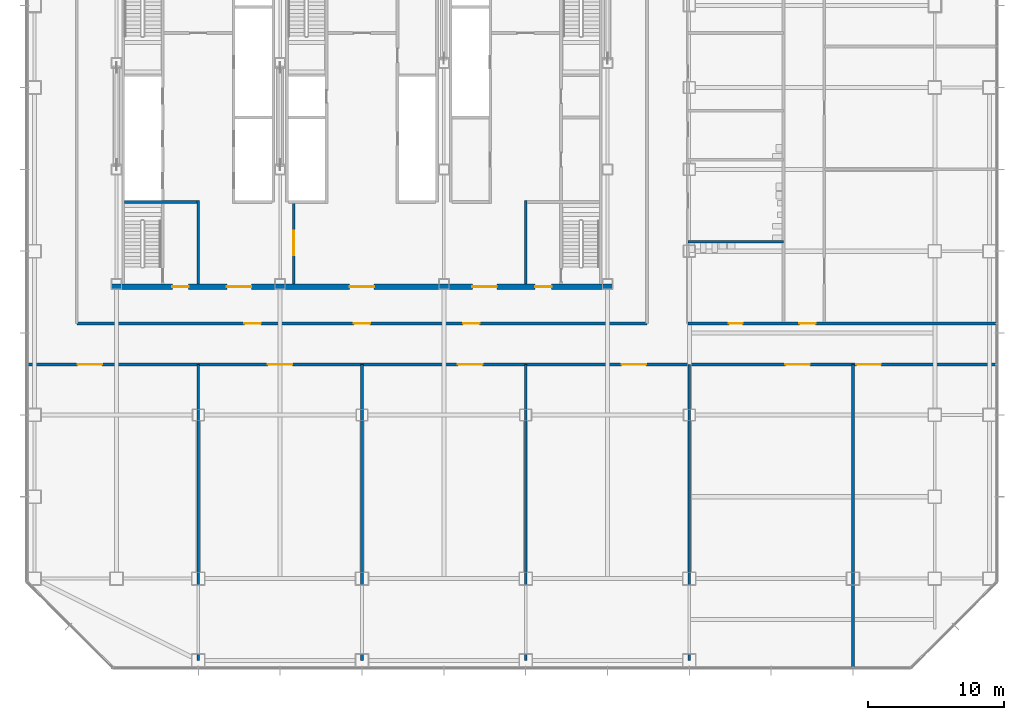
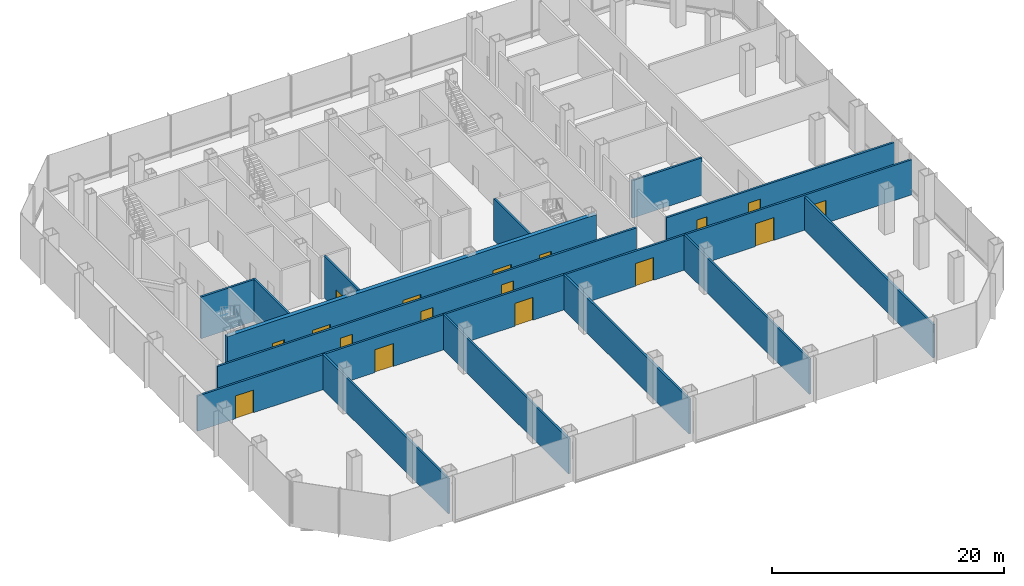
# One storey, part 23 of 33: 17 doors, 14 walls, 17 openings.
"""IFC4 building model written with IfcOpenShell, lengths in metres."""

from ifc_helpers import new_model, si_unit, direction, frame, frame_2d, origin, place, context, subcontext, project, spatial, rectangle, extrude, material, layer, layer_set, type_object, element, fill, save


model = new_model("IFC4")

# Units and contexts
model_context = context("Model", 3, precision=1e-05, world=origin(), true_north=direction((0.0, 1.0)))
body_context = subcontext(model_context, "Body", "Model", "MODEL_VIEW")
ifc_project = project(units=[si_unit("LENGTHUNIT", "METRE"), si_unit("AREAUNIT", "SQUARE_METRE"), si_unit("VOLUMEUNIT", "CUBIC_METRE"), si_unit("PLANEANGLEUNIT", "RADIAN"), si_unit("MASSUNIT", "GRAM", prefix="KILO")], contexts=[model_context])

# Site, building, storey
site_placement = place(None, origin())
site = spatial("IfcSite", under=ifc_project, at=site_placement, CompositionType="ELEMENT")
building_placement = place(site_placement, origin())
building = spatial("IfcBuilding", under=site, at=building_placement, Name="Sorahane Residences", CompositionType="ELEMENT")
storey_placement = place(building_placement, frame((0.0, 0.0, 25.199951171875)))
storey = spatial("IfcBuildingStorey", under=building, at=storey_placement, Name="L03", CompositionType="ELEMENT", Elevation=25.199951171875)

# Walls
ifc_material_1 = material(Name="Concrete blockwork C20 wall", Category="masonry")
ifc_layer_1 = layer(ifc_material_1, 0.199951171875)
ifc_layer_set_1 = layer_set([ifc_layer_1], Name="Corridor wall 200 EI 120")
wall_type_1 = type_object("IfcWallType", Name="Corridor wall 200 EI 120", PredefinedType="SOLIDWALL", material=ifc_layer_set_1)
for number, where, z_axis, x_axis, name in (
    (1, (12.0, -6.0, 0.0), (0.0, 0.0, 1.0), (0.0, 1.0, 0.0), "L03 corridor wall"),
    (2, (24.0, -6.0, 0.0), (0.0, 0.0, 1.0), (0.0, 1.0, 0.0), "L03 corridor wall"),
    (3, (36.0, -6.0, 0.0), (0.0, 0.0, 1.0), (0.0, 1.0, 0.0), "L03 corridor wall"),
    (4, (48.0, -6.0, 0.0), (0.0, 0.0, 1.0), (0.0, 1.0, 0.0), "L03 corridor wall"),
):
    element("IfcWall", number, at=place(storey_placement, frame(where, z_axis=z_axis, x_axis=x_axis)), inside=storey, type_object=wall_type_1, Name=name, PredefinedType="SOLIDWALL", context=body_context, shape_type="SweptSolid", body=[
        extrude(rectangle(XDim=21.699951171875, YDim=0.199951171875, at=frame_2d((10.85009765625, 0.0))), origin(), (0.0, 0.0, 1.0), 3.699951171875),
    ])
wall_1_placement = place(storey_placement, frame((60.0, -6.60009765625, 0.0), z_axis=(0.0, 0.0, 1.0), x_axis=(0.0, 1.0, 0.0)))
element("IfcWall", 5, at=wall_1_placement, inside=storey, type_object=wall_type_1, Name="L03 corridor wall", PredefinedType="SOLIDWALL", context=body_context, shape_type="SweptSolid", body=[
    extrude(rectangle(XDim=22.300048828125, YDim=0.199951171875, at=frame_2d((11.14990234375, 0.0))), origin(), (0.0, 0.0, 1.0), 3.5),
])

# Wall, openings, doors
wall_2_placement = place(storey_placement, frame((-0.60009765625, 15.699951171875, 0.0), z_axis=(0.0, 0.0, 1.0), x_axis=(1.0, 0.0, 0.0)))
wall_2 = element("IfcWall", 6, at=wall_2_placement, inside=storey, type_object=wall_type_1, Name="L03 corridor wall", PredefinedType="SOLIDWALL", context=body_context, shape_type="SweptSolid", body=[
    extrude(rectangle(XDim=71.2001953125, YDim=0.199951171875, at=frame_2d((35.60009765625, 0.0))), origin(), (0.0, 0.0, 1.0), 3.699951171875),
])
opening_1_placement = place(wall_2_placement, frame((3.760009765625, 0.0, 0.0)))
opening_1 = element("IfcOpeningElement", 7, at=opening_1_placement, cuts=wall_2, Name="Opening L03-01", PredefinedType="OPENING", context=body_context, shape_type="SweptSolid", body=[
    extrude(rectangle(XDim=1.800048828125, YDim=2.39990234375, at=frame_2d((0.89990234375, 1.199951171875))), frame((0.0, 0.10986328125, 0.0), z_axis=(0.0, -1.0, 0.0), x_axis=(1.0, 0.0, 0.0)), (0.0, 0.0, 1.0), 0.219970703125),
])
opening_2_placement = place(wall_2_placement, frame((17.699951171875, 0.0, 0.0)))
opening_2 = element("IfcOpeningElement", 8, at=opening_2_placement, cuts=wall_2, Name="Opening L03-02", PredefinedType="OPENING", context=body_context, shape_type="SweptSolid", body=[
    extrude(rectangle(XDim=1.800048828125, YDim=2.39990234375, at=frame_2d((0.89990234375, 1.199951171875))), frame((0.0, 0.10986328125, 0.0), z_axis=(0.0, -1.0, 0.0), x_axis=(1.0, 0.0, 0.0)), (0.0, 0.0, 1.0), 0.219970703125),
])
opening_3_placement = place(wall_2_placement, frame((31.639892578125, 0.0, 0.0)))
opening_3 = element("IfcOpeningElement", 9, at=opening_3_placement, cuts=wall_2, Name="Opening L03-03", PredefinedType="OPENING", context=body_context, shape_type="SweptSolid", body=[
    extrude(rectangle(XDim=1.800048828125, YDim=2.39990234375, at=frame_2d((0.89990234375, 1.199951171875))), frame((0.0, 0.10986328125, 0.0), z_axis=(0.0, -1.0, 0.0), x_axis=(1.0, 0.0, 0.0)), (0.0, 0.0, 1.0), 0.219970703125),
])
opening_4_placement = place(wall_2_placement, frame((43.639892578125, 0.0, 0.0)))
opening_4 = element("IfcOpeningElement", 10, at=opening_4_placement, cuts=wall_2, Name="Opening L03-04", PredefinedType="OPENING", context=body_context, shape_type="SweptSolid", body=[
    extrude(rectangle(XDim=1.800048828125, YDim=2.39990234375, at=frame_2d((0.89990234375, 1.199951171875))), frame((0.0, 0.10986328125, 0.0), z_axis=(0.0, -1.0, 0.0), x_axis=(1.0, 0.0, 0.0)), (0.0, 0.0, 1.0), 0.219970703125),
])
opening_5_placement = place(wall_2_placement, frame((55.639892578125, 0.0, 0.0)))
opening_5 = element("IfcOpeningElement", 11, at=opening_5_placement, cuts=wall_2, Name="Opening L03-05", PredefinedType="OPENING", context=body_context, shape_type="SweptSolid", body=[
    extrude(rectangle(XDim=1.800048828125, YDim=2.39990234375, at=frame_2d((0.89990234375, 1.199951171875))), frame((0.0, 0.10986328125, 0.0), z_axis=(0.0, -1.0, 0.0), x_axis=(1.0, 0.0, 0.0)), (0.0, 0.0, 1.0), 0.219970703125),
])
opening_6_placement = place(wall_2_placement, frame((60.85009765625, 0.0, 0.0)))
opening_6 = element("IfcOpeningElement", 12, at=opening_6_placement, cuts=wall_2, Name="Opening L03-06", PredefinedType="OPENING", context=body_context, shape_type="SweptSolid", body=[
    extrude(rectangle(XDim=1.800048828125, YDim=2.39990234375, at=frame_2d((0.89990234375, 1.199951171875))), frame((0.0, 0.10986328125, 0.0), z_axis=(0.0, -1.0, 0.0), x_axis=(1.0, 0.0, 0.0)), (0.0, 0.0, 1.0), 0.219970703125),
])
ifc_material_2 = material(Name="Timber veneered fire door", Category="wood")
door_type_1 = type_object("IfcDoorType", Name="Double door 1800x2400 FD30", OperationType="NOTDEFINED", PredefinedType="DOOR", material=ifc_material_2)
door_1_placement = place(opening_1_placement, origin())
door_1 = element("IfcDoor", 13, at=door_1_placement, inside=storey, type_object=door_type_1, Name="Double door L03-01", OperationType="SINGLE_SWING_LEFT", OverallHeight=2.39990234375, OverallWidth=1.800048828125, PredefinedType="DOOR", context=body_context, shape_type="SweptSolid", body=[
    extrude(rectangle(XDim=1.800048828125, YDim=2.39990234375, at=frame_2d((0.89990234375, 1.199951171875))), frame((0.0, 0.02490234375, 0.0), z_axis=(0.0, -1.0, 0.0), x_axis=(1.0, 0.0, 0.0)), (0.0, 0.0, 1.0), 0.050048828125),
])
fill(opening_1, door_1)
door_2_placement = place(opening_2_placement, origin())
door_2 = element("IfcDoor", 14, at=door_2_placement, inside=storey, type_object=door_type_1, Name="Double door L03-02", OperationType="SINGLE_SWING_LEFT", OverallHeight=2.39990234375, OverallWidth=1.800048828125, PredefinedType="DOOR", context=body_context, shape_type="SweptSolid", body=[
    extrude(rectangle(XDim=1.800048828125, YDim=2.39990234375, at=frame_2d((0.89990234375, 1.199951171875))), frame((0.0, 0.02490234375, 0.0), z_axis=(0.0, -1.0, 0.0), x_axis=(1.0, 0.0, 0.0)), (0.0, 0.0, 1.0), 0.050048828125),
])
fill(opening_2, door_2)
door_3_placement = place(opening_3_placement, origin())
door_3 = element("IfcDoor", 15, at=door_3_placement, inside=storey, type_object=door_type_1, Name="Double door L03-03", OperationType="SINGLE_SWING_LEFT", OverallHeight=2.39990234375, OverallWidth=1.800048828125, PredefinedType="DOOR", context=body_context, shape_type="SweptSolid", body=[
    extrude(rectangle(XDim=1.800048828125, YDim=2.39990234375, at=frame_2d((0.89990234375, 1.199951171875))), frame((0.0, 0.02490234375, 0.0), z_axis=(0.0, -1.0, 0.0), x_axis=(1.0, 0.0, 0.0)), (0.0, 0.0, 1.0), 0.050048828125),
])
fill(opening_3, door_3)
door_4_placement = place(opening_4_placement, origin())
door_4 = element("IfcDoor", 16, at=door_4_placement, inside=storey, type_object=door_type_1, Name="Double door L03-04", OperationType="SINGLE_SWING_LEFT", OverallHeight=2.39990234375, OverallWidth=1.800048828125, PredefinedType="DOOR", context=body_context, shape_type="SweptSolid", body=[
    extrude(rectangle(XDim=1.800048828125, YDim=2.39990234375, at=frame_2d((0.89990234375, 1.199951171875))), frame((0.0, 0.02490234375, 0.0), z_axis=(0.0, -1.0, 0.0), x_axis=(1.0, 0.0, 0.0)), (0.0, 0.0, 1.0), 0.050048828125),
])
fill(opening_4, door_4)
door_5_placement = place(opening_5_placement, origin())
door_5 = element("IfcDoor", 17, at=door_5_placement, inside=storey, type_object=door_type_1, Name="Double door L03-05", OperationType="SINGLE_SWING_RIGHT", OverallHeight=2.39990234375, OverallWidth=1.800048828125, PredefinedType="DOOR", context=body_context, shape_type="SweptSolid", body=[
    extrude(rectangle(XDim=1.800048828125, YDim=2.39990234375, at=frame_2d((0.89990234375, 1.199951171875))), frame((0.0, 0.02490234375, 0.0), z_axis=(0.0, -1.0, 0.0), x_axis=(1.0, 0.0, 0.0)), (0.0, 0.0, 1.0), 0.050048828125),
])
fill(opening_5, door_5)
door_6_placement = place(opening_6_placement, origin())
door_6 = element("IfcDoor", 18, at=door_6_placement, inside=storey, type_object=door_type_1, Name="Double door L03-06", OperationType="SINGLE_SWING_LEFT", OverallHeight=2.39990234375, OverallWidth=1.800048828125, PredefinedType="DOOR", context=body_context, shape_type="SweptSolid", body=[
    extrude(rectangle(XDim=1.800048828125, YDim=2.39990234375, at=frame_2d((0.89990234375, 1.199951171875))), frame((0.0, 0.02490234375, 0.0), z_axis=(0.0, -1.0, 0.0), x_axis=(1.0, 0.0, 0.0)), (0.0, 0.0, 1.0), 0.050048828125),
])
fill(opening_6, door_6)

wall_3_placement = place(storey_placement, frame((3.10009765625, 18.699951171875, 0.0), z_axis=(0.0, 0.0, 1.0), x_axis=(1.0, 0.0, 0.0)))
wall_3 = element("IfcWall", 19, at=wall_3_placement, inside=storey, type_object=wall_type_1, Name="L03 corridor wall", PredefinedType="SOLIDWALL", context=body_context, shape_type="SweptSolid", body=[
    extrude(rectangle(XDim=41.7998046875, YDim=0.199951171875, at=frame_2d((20.89990234375, 0.0))), origin(), (0.0, 0.0, 1.0), 3.699951171875),
])
opening_7_placement = place(wall_3_placement, frame((28.320068359375, 0.0, 0.0)))
opening_7 = element("IfcOpeningElement", 20, at=opening_7_placement, cuts=wall_3, Name="Opening L03-17", PredefinedType="OPENING", context=body_context, shape_type="SweptSolid", body=[
    extrude(rectangle(XDim=1.199951171875, YDim=2.39990234375, at=frame_2d((0.60009765625, 1.199951171875))), frame((0.0, 0.10986328125, 0.0), z_axis=(0.0, -1.0, 0.0), x_axis=(1.0, 0.0, 0.0)), (0.0, 0.0, 1.0), 0.219970703125),
])
opening_8_placement = place(wall_3_placement, frame((20.300048828125, 0.0, 0.0)))
opening_8 = element("IfcOpeningElement", 21, at=opening_8_placement, cuts=wall_3, Name="Opening L03-18", PredefinedType="OPENING", context=body_context, shape_type="SweptSolid", body=[
    extrude(rectangle(XDim=1.199951171875, YDim=2.39990234375, at=frame_2d((0.60009765625, 1.199951171875))), frame((0.0, 0.10986328125, 0.0), z_axis=(0.0, -1.0, 0.0), x_axis=(1.0, 0.0, 0.0)), (0.0, 0.0, 1.0), 0.219970703125),
])
opening_9_placement = place(wall_3_placement, frame((12.280029296875, 0.0, 0.0)))
opening_9 = element("IfcOpeningElement", 22, at=opening_9_placement, cuts=wall_3, Name="Opening L03-19", PredefinedType="OPENING", context=body_context, shape_type="SweptSolid", body=[
    extrude(rectangle(XDim=1.199951171875, YDim=2.39990234375, at=frame_2d((0.60009765625, 1.199951171875))), frame((0.0, 0.10986328125, 0.0), z_axis=(0.0, -1.0, 0.0), x_axis=(1.0, 0.0, 0.0)), (0.0, 0.0, 1.0), 0.219970703125),
])
ifc_material_3 = material(Name="Steel", Category="steel")
door_type_2 = type_object("IfcDoorType", Name="Lobby door 1200x2400 FD60", OperationType="NOTDEFINED", PredefinedType="DOOR", material=ifc_material_3)
door_7_placement = place(opening_7_placement, frame((1.199951171875, 0.0, 0.0), z_axis=(0.0, 0.0, 1.0), x_axis=(-1.0, 0.0, 0.0)))
door_7 = element("IfcDoor", 23, at=door_7_placement, inside=storey, type_object=door_type_2, Name="Lobby door L03-17", OperationType="SINGLE_SWING_RIGHT", OverallHeight=2.39990234375, OverallWidth=1.199951171875, PredefinedType="DOOR", context=body_context, shape_type="SweptSolid", body=[
    extrude(rectangle(XDim=1.199951171875, YDim=2.39990234375, at=frame_2d((0.60009765625, 1.199951171875))), frame((0.0, 0.02490234375, 0.0), z_axis=(0.0, -1.0, 0.0), x_axis=(1.0, 0.0, 0.0)), (0.0, 0.0, 1.0), 0.050048828125),
])
fill(opening_7, door_7)
door_8_placement = place(opening_8_placement, frame((1.199951171875, 0.0, 0.0), z_axis=(0.0, 0.0, 1.0), x_axis=(-1.0, 0.0, 0.0)))
door_8 = element("IfcDoor", 24, at=door_8_placement, inside=storey, type_object=door_type_2, Name="Lobby door L03-18", OperationType="SINGLE_SWING_RIGHT", OverallHeight=2.39990234375, OverallWidth=1.199951171875, PredefinedType="DOOR", context=body_context, shape_type="SweptSolid", body=[
    extrude(rectangle(XDim=1.199951171875, YDim=2.39990234375, at=frame_2d((0.60009765625, 1.199951171875))), frame((0.0, 0.02490234375, 0.0), z_axis=(0.0, -1.0, 0.0), x_axis=(1.0, 0.0, 0.0)), (0.0, 0.0, 1.0), 0.050048828125),
])
fill(opening_8, door_8)
door_9_placement = place(opening_9_placement, frame((1.199951171875, 0.0, 0.0), z_axis=(0.0, 0.0, 1.0), x_axis=(-1.0, 0.0, 0.0)))
door_9 = element("IfcDoor", 25, at=door_9_placement, inside=storey, type_object=door_type_2, Name="Lobby door L03-19", OperationType="SINGLE_SWING_RIGHT", OverallHeight=2.39990234375, OverallWidth=1.199951171875, PredefinedType="DOOR", context=body_context, shape_type="SweptSolid", body=[
    extrude(rectangle(XDim=1.199951171875, YDim=2.39990234375, at=frame_2d((0.60009765625, 1.199951171875))), frame((0.0, 0.02490234375, 0.0), z_axis=(0.0, -1.0, 0.0), x_axis=(1.0, 0.0, 0.0)), (0.0, 0.0, 1.0), 0.050048828125),
])
fill(opening_9, door_9)

wall_4_placement = place(storey_placement, frame((47.89990234375, 18.699951171875, 0.0), z_axis=(0.0, 0.0, 1.0), x_axis=(1.0, 0.0, 0.0)))
wall_4 = element("IfcWall", 26, at=wall_4_placement, inside=storey, type_object=wall_type_1, Name="L03 corridor wall", PredefinedType="SOLIDWALL", context=body_context, shape_type="SweptSolid", body=[
    extrude(rectangle(XDim=22.7001953125, YDim=0.199951171875, at=frame_2d((11.35009765625, 0.0))), origin(), (0.0, 0.0, 1.0), 3.699951171875),
])
opening_10_placement = place(wall_4_placement, frame((3.0, 0.0, 0.0)))
opening_10 = element("IfcOpeningElement", 27, at=opening_10_placement, cuts=wall_4, Name="Opening L03-07", PredefinedType="OPENING", context=body_context, shape_type="SweptSolid", body=[
    extrude(rectangle(XDim=1.0, YDim=2.39990234375, at=frame_2d((0.5, 1.199951171875))), frame((0.0, 0.10986328125, 0.0), z_axis=(0.0, -1.0, 0.0), x_axis=(1.0, 0.0, 0.0)), (0.0, 0.0, 1.0), 0.219970703125),
])
opening_11_placement = place(wall_4_placement, frame((8.159912109375, 0.0, 0.0)))
opening_11 = element("IfcOpeningElement", 28, at=opening_11_placement, cuts=wall_4, Name="Opening L03-13", PredefinedType="OPENING", context=body_context, shape_type="SweptSolid", body=[
    extrude(rectangle(XDim=1.199951171875, YDim=2.39990234375, at=frame_2d((0.60009765625, 1.199951171875))), frame((0.0, 0.10986328125, 0.0), z_axis=(0.0, -1.0, 0.0), x_axis=(1.0, 0.0, 0.0)), (0.0, 0.0, 1.0), 0.219970703125),
])
door_10_placement = place(opening_11_placement, origin())
door_10 = element("IfcDoor", 29, at=door_10_placement, inside=storey, type_object=door_type_2, Name="Lobby door L03-13", OperationType="SINGLE_SWING_LEFT", OverallHeight=2.39990234375, OverallWidth=1.199951171875, PredefinedType="DOOR", context=body_context, shape_type="SweptSolid", body=[
    extrude(rectangle(XDim=1.199951171875, YDim=2.39990234375, at=frame_2d((0.60009765625, 1.199951171875))), frame((0.0, 0.02490234375, 0.0), z_axis=(0.0, -1.0, 0.0), x_axis=(1.0, 0.0, 0.0)), (0.0, 0.0, 1.0), 0.050048828125),
])
fill(opening_11, door_10)
ifc_material_4 = material(Name="Timber veneered fire door", Category="wood")
door_type_3 = type_object("IfcDoorType", Name="Room door 1000x2400 FD30", OperationType="NOTDEFINED", PredefinedType="DOOR", material=ifc_material_4)
door_11_placement = place(opening_10_placement, origin())
door_11 = element("IfcDoor", 30, at=door_11_placement, inside=storey, type_object=door_type_3, Name="Room door L03-07", OperationType="SINGLE_SWING_LEFT", OverallHeight=2.39990234375, OverallWidth=1.0, PredefinedType="DOOR", context=body_context, shape_type="SweptSolid", body=[
    extrude(rectangle(XDim=1.0, YDim=2.39990234375, at=frame_2d((0.5, 1.199951171875))), frame((0.0, 0.02490234375, 0.0), z_axis=(0.0, -1.0, 0.0), x_axis=(1.0, 0.0, 0.0)), (0.0, 0.0, 1.0), 0.050048828125),
])
fill(opening_10, door_11)

# Walls
wall_5_placement = place(storey_placement, frame((47.89990234375, 24.699951171875, 0.0), z_axis=(0.0, 0.0, 1.0), x_axis=(1.0, 0.0, 0.0)))
element("IfcWall", 31, at=wall_5_placement, inside=storey, type_object=wall_type_1, Name="L03 corridor wall", PredefinedType="SOLIDWALL", context=body_context, shape_type="SweptSolid", body=[
    extrude(rectangle(XDim=7.0, YDim=0.199951171875, at=frame_2d((3.5, 0.0))), origin(), (0.0, 0.0, 1.0), 3.949951171875),
])
ifc_material_5 = material(Name="Concrete C30", Category="concrete")
ifc_layer_2 = layer(ifc_material_5, 0.199951171875)
ifc_layer_set_2 = layer_set([ifc_layer_2], Name="Front room wall 200 EI 120")
wall_type_2 = type_object("IfcWallType", Name="Front room wall 200 EI 120", PredefinedType="PARTITIONING", material=ifc_layer_set_2)
for number, where, z_axis, x_axis, name in (
    (32, (12.0, 21.60009765625, 0.0), (0.0, 0.0, 1.0), (0.0, 1.0, 0.0), "L03 front room wall"),
    (33, (36.0, 21.60009765625, 0.0), (0.0, 0.0, 1.0), (0.0, 1.0, 0.0), "L03 front room wall"),
):
    element("IfcWall", number, at=place(storey_placement, frame(where, z_axis=z_axis, x_axis=x_axis)), inside=storey, type_object=wall_type_2, Name=name, PredefinedType="PARTITIONING", context=body_context, shape_type="SweptSolid", body=[
        extrude(rectangle(XDim=6.099853515625, YDim=0.199951171875, at=frame_2d((3.0498046875, 0.0))), origin(), (0.0, 0.0, 1.0), 4.400146484375),
    ])

# Wall, opening, door
ifc_material_6 = material(Name="Concrete C30", Category="concrete")
ifc_layer_3 = layer(ifc_material_6, 0.199951171875)
ifc_layer_set_3 = layer_set([ifc_layer_3], Name="Service room partition 200 EI 60")
wall_type_3 = type_object("IfcWallType", Name="Service room partition 200 EI 60", PredefinedType="PARTITIONING", material=ifc_layer_set_3)
wall_6_placement = place(storey_placement, frame((19.0, 21.60009765625, 0.0), z_axis=(0.0, 0.0, 1.0), x_axis=(0.0, 1.0, 0.0)))
wall_6 = element("IfcWall", 34, at=wall_6_placement, inside=storey, type_object=wall_type_3, Name="L03 service room wall", PredefinedType="PARTITIONING", context=body_context, shape_type="SweptSolid", body=[
    extrude(rectangle(XDim=6.0, YDim=0.199951171875, at=frame_2d((3.0, 0.0))), origin(), (0.0, 0.0, 1.0), 4.400146484375),
])
opening_12_placement = place(wall_6_placement, frame((2.10009765625, 0.0, 0.0)))
opening_12 = element("IfcOpeningElement", 35, at=opening_12_placement, cuts=wall_6, Name="Opening L03-C02", PredefinedType="OPENING", context=body_context, shape_type="SweptSolid", body=[
    extrude(rectangle(XDim=1.800048828125, YDim=2.10009765625, at=frame_2d((0.89990234375, 1.050048828125))), frame((0.0, 0.10986328125, 0.0), z_axis=(0.0, -1.0, 0.0), x_axis=(1.0, 0.0, 0.0)), (0.0, 0.0, 1.0), 0.219970703125),
])
ifc_material_7 = material(Name="Steel", Category="steel")
door_type_4 = type_object("IfcDoorType", Name="Waiting hall door 1800x2100 FD60", OperationType="NOTDEFINED", PredefinedType="DOOR", material=ifc_material_7)
door_12_placement = place(opening_12_placement, origin())
door_12 = element("IfcDoor", 36, at=door_12_placement, inside=storey, type_object=door_type_4, Name="Waiting hall door Residents' waiting hall west L03", OperationType="SINGLE_SWING_LEFT", OverallHeight=2.10009765625, OverallWidth=1.800048828125, PredefinedType="DOOR", context=body_context, shape_type="SweptSolid", body=[
    extrude(rectangle(XDim=1.800048828125, YDim=2.10009765625, at=frame_2d((0.89990234375, 1.050048828125))), frame((0.0, 0.02490234375, 0.0), z_axis=(0.0, -1.0, 0.0), x_axis=(1.0, 0.0, 0.0)), (0.0, 0.0, 1.0), 0.050048828125),
])
fill(opening_12, door_12)

# Wall
ifc_material_8 = material(Name="Concrete C30", Category="concrete")
ifc_layer_4 = layer(ifc_material_8, 0.199951171875)
ifc_layer_set_4 = layer_set([ifc_layer_4], Name="Stair enclosure wall 200 EI 120")
wall_type_4 = type_object("IfcWallType", Name="Stair enclosure wall 200 EI 120", PredefinedType="SOLIDWALL", material=ifc_layer_set_4)
wall_7_placement = place(storey_placement, frame((6.60009765625, 27.60009765625, 0.0), z_axis=(0.0, 0.0, 1.0), x_axis=(1.0, 0.0, 0.0)))
element("IfcWall", 37, at=wall_7_placement, inside=storey, type_object=wall_type_4, Name="L03 stair enclosure wall", PredefinedType="SOLIDWALL", context=body_context, shape_type="SweptSolid", body=[
    extrude(rectangle(XDim=5.2998046875, YDim=0.199951171875, at=frame_2d((2.64990234375, 0.0))), origin(), (0.0, 0.0, 1.0), 4.400146484375),
])

# Wall, openings, doors
ifc_material_9 = material(Name="Concrete C30", Category="concrete")
ifc_layer_5 = layer(ifc_material_9, 0.39990234375)
ifc_layer_set_5 = layer_set([ifc_layer_5], Name="Waiting hall wall 400 EI 120")
wall_type_5 = type_object("IfcWallType", Name="Waiting hall wall 400 EI 120", PredefinedType="SOLIDWALL", material=ifc_layer_set_5)
wall_8_placement = place(storey_placement, frame((5.60009765625, 21.39990234375, 0.0), z_axis=(0.0, 0.0, 1.0), x_axis=(1.0, 0.0, 0.0)))
wall_8 = element("IfcWall", 38, at=wall_8_placement, inside=storey, type_object=wall_type_5, Name="L03 waiting hall wall", PredefinedType="SOLIDWALL", context=body_context, shape_type="SweptSolid", body=[
    extrude(rectangle(XDim=36.7998046875, YDim=0.39990234375, at=frame_2d((18.39990234375, 0.0))), origin(), (0.0, 0.0, 1.0), 4.400146484375),
])
opening_13_placement = place(wall_8_placement, frame((8.5, 0.0, 0.0)))
opening_13 = element("IfcOpeningElement", 39, at=opening_13_placement, cuts=wall_8, Name="Opening L03-C01", PredefinedType="OPENING", context=body_context, shape_type="SweptSolid", body=[
    extrude(rectangle(XDim=1.800048828125, YDim=2.10009765625, at=frame_2d((0.89990234375, 1.050048828125))), frame((0.0, 0.2099609375, 0.0), z_axis=(0.0, -1.0, 0.0), x_axis=(1.0, 0.0, 0.0)), (0.0, 0.0, 1.0), 0.419921875),
])
opening_14_placement = place(wall_8_placement, frame((17.5, 0.0, 0.0)))
opening_14 = element("IfcOpeningElement", 40, at=opening_14_placement, cuts=wall_8, Name="Opening L03-C03", PredefinedType="OPENING", context=body_context, shape_type="SweptSolid", body=[
    extrude(rectangle(XDim=1.800048828125, YDim=2.10009765625, at=frame_2d((0.89990234375, 1.050048828125))), frame((0.0, 0.2099609375, 0.0), z_axis=(0.0, -1.0, 0.0), x_axis=(1.0, 0.0, 0.0)), (0.0, 0.0, 1.0), 0.419921875),
])
opening_15_placement = place(wall_8_placement, frame((26.5, 0.0, 0.0)))
opening_15 = element("IfcOpeningElement", 41, at=opening_15_placement, cuts=wall_8, Name="Opening L03-C04", PredefinedType="OPENING", context=body_context, shape_type="SweptSolid", body=[
    extrude(rectangle(XDim=1.800048828125, YDim=2.10009765625, at=frame_2d((0.89990234375, 1.050048828125))), frame((0.0, 0.2099609375, 0.0), z_axis=(0.0, -1.0, 0.0), x_axis=(1.0, 0.0, 0.0)), (0.0, 0.0, 1.0), 0.419921875),
])
opening_16_placement = place(wall_8_placement, frame((4.5, 0.0, 0.0)))
opening_16 = element("IfcOpeningElement", 42, at=opening_16_placement, cuts=wall_8, Name="Opening L03-C05", PredefinedType="OPENING", context=body_context, shape_type="SweptSolid", body=[
    extrude(rectangle(XDim=1.199951171875, YDim=2.10009765625, at=frame_2d((0.60009765625, 1.050048828125))), frame((0.0, 0.2099609375, 0.0), z_axis=(0.0, -1.0, 0.0), x_axis=(1.0, 0.0, 0.0)), (0.0, 0.0, 1.0), 0.419921875),
])
opening_17_placement = place(wall_8_placement, frame((31.10009765625, 0.0, 0.0)))
opening_17 = element("IfcOpeningElement", 43, at=opening_17_placement, cuts=wall_8, Name="Opening L03-C06", PredefinedType="OPENING", context=body_context, shape_type="SweptSolid", body=[
    extrude(rectangle(XDim=1.199951171875, YDim=2.10009765625, at=frame_2d((0.60009765625, 1.050048828125))), frame((0.0, 0.2099609375, 0.0), z_axis=(0.0, -1.0, 0.0), x_axis=(1.0, 0.0, 0.0)), (0.0, 0.0, 1.0), 0.419921875),
])
ifc_material_10 = material(Name="Steel", Category="steel")
door_type_5 = type_object("IfcDoorType", Name="Stair front room door 1200x2100 FD120", OperationType="NOTDEFINED", PredefinedType="DOOR", material=ifc_material_10)
door_13_placement = place(opening_16_placement, frame((1.199951171875, 0.0, 0.0), z_axis=(0.0, 0.0, 1.0), x_axis=(-1.0, 0.0, 0.0)))
door_13 = element("IfcDoor", 44, at=door_13_placement, inside=storey, type_object=door_type_5, Name="Stair front room door Stair S4 front room L03", OperationType="SINGLE_SWING_LEFT", OverallHeight=2.10009765625, OverallWidth=1.199951171875, PredefinedType="DOOR", context=body_context, shape_type="SweptSolid", body=[
    extrude(rectangle(XDim=1.199951171875, YDim=2.10009765625, at=frame_2d((0.60009765625, 1.050048828125))), frame((0.0, 0.02490234375, 0.0), z_axis=(0.0, -1.0, 0.0), x_axis=(1.0, 0.0, 0.0)), (0.0, 0.0, 1.0), 0.050048828125),
])
fill(opening_16, door_13)
door_14_placement = place(opening_17_placement, frame((1.199951171875, 0.0, 0.0), z_axis=(0.0, 0.0, 1.0), x_axis=(-1.0, 0.0, 0.0)))
door_14 = element("IfcDoor", 45, at=door_14_placement, inside=storey, type_object=door_type_5, Name="Stair front room door Stair S5 front room L03", OperationType="SINGLE_SWING_LEFT", OverallHeight=2.10009765625, OverallWidth=1.199951171875, PredefinedType="DOOR", context=body_context, shape_type="SweptSolid", body=[
    extrude(rectangle(XDim=1.199951171875, YDim=2.10009765625, at=frame_2d((0.60009765625, 1.050048828125))), frame((0.0, 0.02490234375, 0.0), z_axis=(0.0, -1.0, 0.0), x_axis=(1.0, 0.0, 0.0)), (0.0, 0.0, 1.0), 0.050048828125),
])
fill(opening_17, door_14)
door_15_placement = place(opening_13_placement, frame((1.800048828125, 0.0, 0.0), z_axis=(0.0, 0.0, 1.0), x_axis=(-1.0, 0.0, 0.0)))
door_15 = element("IfcDoor", 46, at=door_15_placement, inside=storey, type_object=door_type_4, Name="Waiting hall door Residents' waiting hall west L03", OperationType="SINGLE_SWING_LEFT", OverallHeight=2.10009765625, OverallWidth=1.800048828125, PredefinedType="DOOR", context=body_context, shape_type="SweptSolid", body=[
    extrude(rectangle(XDim=1.800048828125, YDim=2.10009765625, at=frame_2d((0.89990234375, 1.050048828125))), frame((0.0, 0.02490234375, 0.0), z_axis=(0.0, -1.0, 0.0), x_axis=(1.0, 0.0, 0.0)), (0.0, 0.0, 1.0), 0.050048828125),
])
fill(opening_13, door_15)
door_16_placement = place(opening_14_placement, frame((1.800048828125, 0.0, 0.0), z_axis=(0.0, 0.0, 1.0), x_axis=(-1.0, 0.0, 0.0)))
door_16 = element("IfcDoor", 47, at=door_16_placement, inside=storey, type_object=door_type_4, Name="Waiting hall door Residents' waiting hall east L03", OperationType="SINGLE_SWING_LEFT", OverallHeight=2.10009765625, OverallWidth=1.800048828125, PredefinedType="DOOR", context=body_context, shape_type="SweptSolid", body=[
    extrude(rectangle(XDim=1.800048828125, YDim=2.10009765625, at=frame_2d((0.89990234375, 1.050048828125))), frame((0.0, 0.02490234375, 0.0), z_axis=(0.0, -1.0, 0.0), x_axis=(1.0, 0.0, 0.0)), (0.0, 0.0, 1.0), 0.050048828125),
])
fill(opening_14, door_16)
door_17_placement = place(opening_15_placement, frame((1.800048828125, 0.0, 0.0), z_axis=(0.0, 0.0, 1.0), x_axis=(-1.0, 0.0, 0.0)))
door_17 = element("IfcDoor", 48, at=door_17_placement, inside=storey, type_object=door_type_4, Name="Waiting hall door Residents' waiting hall east L03", OperationType="SINGLE_SWING_LEFT", OverallHeight=2.10009765625, OverallWidth=1.800048828125, PredefinedType="DOOR", context=body_context, shape_type="SweptSolid", body=[
    extrude(rectangle(XDim=1.800048828125, YDim=2.10009765625, at=frame_2d((0.89990234375, 1.050048828125))), frame((0.0, 0.02490234375, 0.0), z_axis=(0.0, -1.0, 0.0), x_axis=(1.0, 0.0, 0.0)), (0.0, 0.0, 1.0), 0.050048828125),
])
fill(opening_15, door_17)

save(model, "model.ifc")
